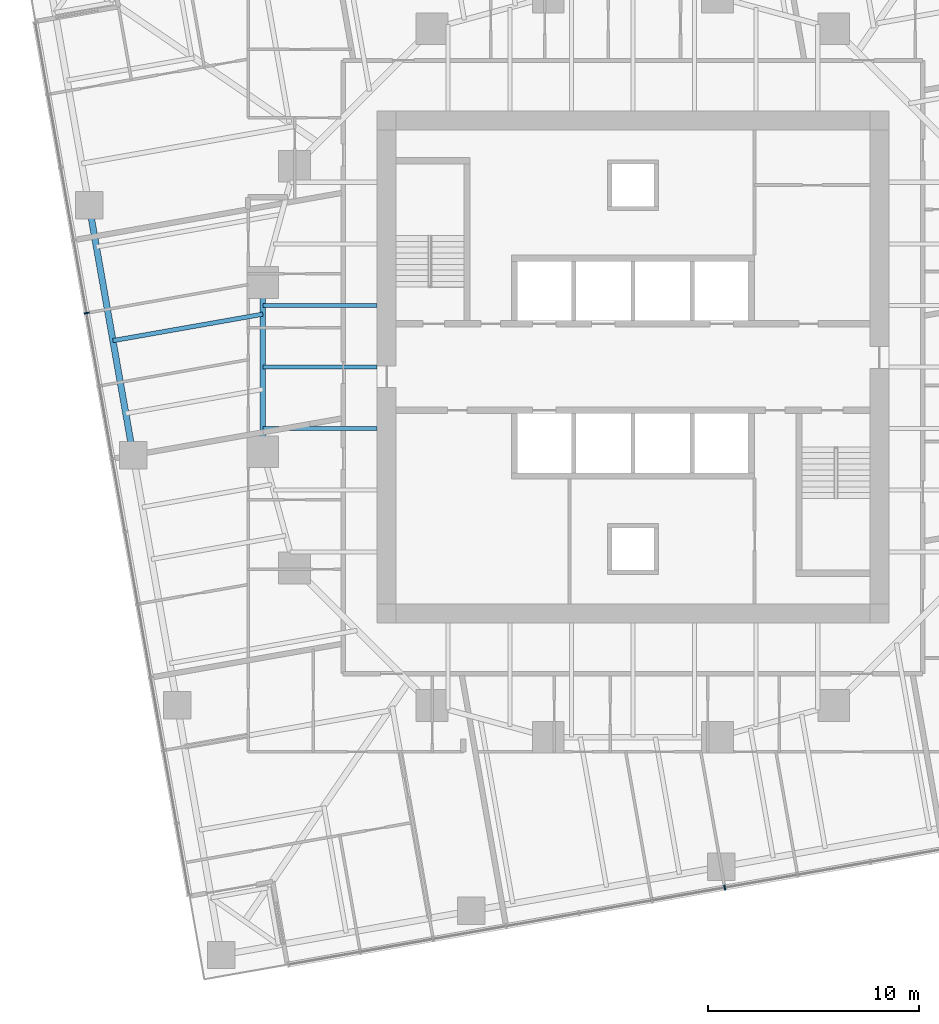
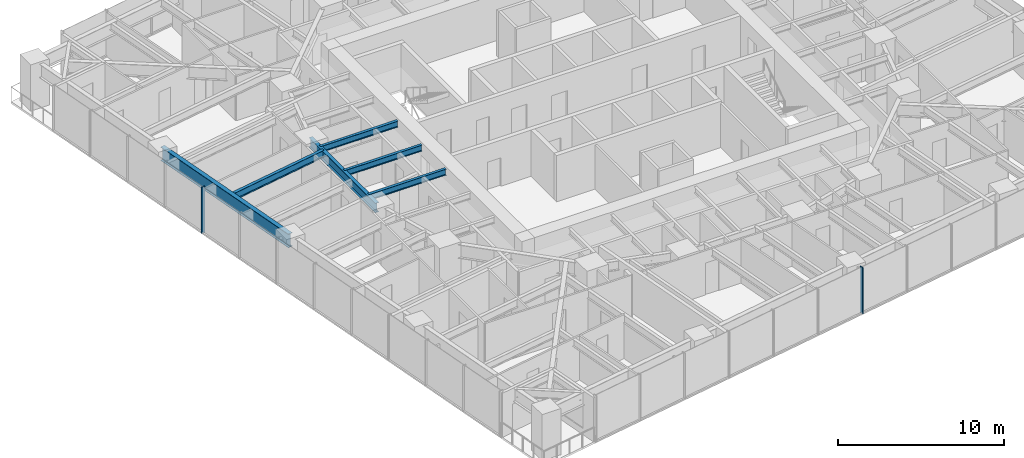
# One storey, part 3 of 14: 6 beams, 2 members, 2 elements without a shape of their own.
"""IFC4 building model written with IfcOpenShell, lengths in metres."""

from ifc_helpers import new_model, si_unit, direction, frame, origin, origin_2d, place, context, subcontext, project, spatial, rectangle, i_section, extrude, material, material_profile, profile_set, type_object, element, aggregate, save


model = new_model("IFC4")

# Units and contexts
model_context = context("Model", 3, precision=1e-05, world=origin(), true_north=direction((0.0, 1.0)))
body_context = subcontext(model_context, "Body", "Model", "MODEL_VIEW")
ifc_project = project(units=[si_unit("LENGTHUNIT", "METRE"), si_unit("AREAUNIT", "SQUARE_METRE"), si_unit("VOLUMEUNIT", "CUBIC_METRE"), si_unit("PLANEANGLEUNIT", "RADIAN"), si_unit("MASSUNIT", "GRAM", prefix="KILO")], contexts=[model_context])

# Site, building, storey
site_placement = place(None, origin())
site = spatial("IfcSite", under=ifc_project, at=site_placement, CompositionType="ELEMENT")
building_placement = place(site_placement, origin())
building = spatial("IfcBuilding", under=site, at=building_placement, Name="Torsade Residences", CompositionType="ELEMENT")
storey_placement = place(building_placement, frame((0.0, 0.0, 99.800048828125)))
storey = spatial("IfcBuildingStorey", under=building, at=storey_placement, Name="L27", CompositionType="ELEMENT", Elevation=99.800048828125)

# Curtain wall, member
ifc_material_1 = material(Name="Aluminium and glass", Category="aluminium")
curtain_wall_type = type_object("IfcCurtainWallType", Name="FRITTED GLASS CURTAIN WALL LOW ZONE", PredefinedType="NOTDEFINED", material=ifc_material_1)
curtain_wall_1_placement = place(storey_placement, origin())
curtain_wall_1 = element("IfcCurtainWall", 1, at=curtain_wall_1_placement, inside=storey, type_object=curtain_wall_type, Name="Curtain wall L27 face 1", PredefinedType="NOTDEFINED")
ifc_material_2 = material(Name="Aluminium mullion", Category="aluminium")
ifc_material_profile_1 = material_profile(ifc_material_2, rectangle(XDim=0.25, YDim=0.06494140625, at=origin_2d()), Name="CURTAIN WALL MULLION 250x65")
ifc_profile_set_1 = profile_set([ifc_material_profile_1], Name="Aluminium mullion")
member_type = type_object("IfcMemberType", Name="CURTAIN WALL MULLION 250x65", PredefinedType="MULLION", material=ifc_profile_set_1)
member_1_placement = place(storey_placement, frame((44.34130859375, 5.3798828125, 0.0), z_axis=(0.0, 0.0, 1.0), x_axis=(-0.173648192638, 0.984807750372, 0.0)))
member_1 = element("IfcMember", 2, at=member_1_placement, type_object=member_type, Name="Mullion 7", PredefinedType="MULLION", context=body_context, shape_type="SweptSolid", body=[
    extrude(rectangle(XDim=0.25, YDim=0.06494140625, at=origin_2d()), origin(), (0.0, 0.0, 1.0), 3.39990234375),
])
aggregate(curtain_wall_1, [member_1])

curtain_wall_2_placement = place(storey_placement, origin())
curtain_wall_2 = element("IfcCurtainWall", 3, at=curtain_wall_2_placement, inside=storey, type_object=curtain_wall_type, Name="Curtain wall L27 face 10", PredefinedType="NOTDEFINED")
member_2_placement = place(storey_placement, frame((14.164306640625, 32.552490234375, 0.0), z_axis=(0.0, 0.0, 1.0), x_axis=(0.984807750372, 0.173648192638, 0.0)))
member_2 = element("IfcMember", 4, at=member_2_placement, type_object=member_type, Name="Mullion 5", PredefinedType="MULLION", context=body_context, shape_type="SweptSolid", body=[
    extrude(rectangle(XDim=0.25, YDim=0.06494140625, at=origin_2d()), origin(), (0.0, 0.0, 1.0), 3.39990234375),
])
aggregate(curtain_wall_2, [member_2])

# Beams
ifc_material_3 = material(Name="Steel grade 300", Category="steel")
ifc_material_profile_2 = material_profile(ifc_material_3, i_section(OverallWidth=0.300048828125, OverallDepth=1.0, WebThickness=0.01611328125, FlangeThickness=0.028076171875, at=origin_2d()), Name="1000WB215")
ifc_profile_set_2 = profile_set([ifc_material_profile_2], Name="Steel grade 300")
beam_type_1 = type_object("IfcBeamType", Name="EDGE BEAM 1000WB215", PredefinedType="SPANDREL", material=ifc_profile_set_2)
beam_1_placement = place(storey_placement, frame((14.28076171875, 37.650146484375, 2.75), z_axis=(0.173646056486, -0.984808127031, 0.0), x_axis=(0.984808127031, 0.173646056486, 0.0)))
element("IfcBeam", 5, at=beam_1_placement, inside=storey, type_object=beam_type_1, Name="Edge beam 14 L28", PredefinedType="SPANDREL", context=body_context, shape_type="SweptSolid", body=[
    extrude(i_section(OverallWidth=0.300048828125, OverallDepth=1.0, WebThickness=0.01611328125, FlangeThickness=0.028076171875, at=origin_2d()), origin(), (0.0, 0.0, 1.0), 12.0),
])
ifc_material_4 = material(Name="Steel grade 300", Category="steel")
ifc_material_profile_3 = material_profile(ifc_material_4, i_section(OverallWidth=0.18994140625, OverallDepth=0.4541015625, WebThickness=0.008544921875, FlangeThickness=0.0126953125, FilletRadius=0.011474609375, at=origin_2d()), Name="460UB67.1")
ifc_profile_set_3 = profile_set([ifc_material_profile_3], Name="Steel grade 300")
beam_type_2 = type_object("IfcBeamType", Name="INNER FLOOR BEAM 460UB67.1", PredefinedType="JOIST", material=ifc_profile_set_3)
for number, where, z_axis, x_axis, name in (
    (6, (27.89990234375, 32.91259765625, 3.02294921875), (-1.0, 0.0, 0.0), (0.0, -1.0, 0.0), "Inner floor beam IW03 L28"),
    (7, (27.89990234375, 30.0, 3.02294921875), (-1.0, 0.0, 0.0), (0.0, -1.0, 0.0), "Inner floor beam IW04 L28"),
    (8, (27.89990234375, 27.08740234375, 3.02294921875), (-1.0, 0.0, 0.0), (0.0, -1.0, 0.0), "Inner floor beam IW05 L28"),
):
    element("IfcBeam", number, at=place(storey_placement, frame(where, z_axis=z_axis, x_axis=x_axis)), inside=storey, type_object=beam_type_2, Name=name, PredefinedType="JOIST", context=body_context, shape_type="SweptSolid", body=[
        extrude(i_section(OverallWidth=0.18994140625, OverallDepth=0.4541015625, WebThickness=0.008544921875, FlangeThickness=0.0126953125, FilletRadius=0.011474609375, at=origin_2d()), origin(), (0.0, 0.0, 1.0), 5.39990234375),
    ])
ifc_material_5 = material(Name="Steel grade 300", Category="steel")
ifc_material_profile_4 = material_profile(ifc_material_5, i_section(OverallWidth=0.25, OverallDepth=0.699951171875, WebThickness=0.010009765625, FlangeThickness=0.02001953125, at=origin_2d()), Name="700WB130")
ifc_profile_set_4 = profile_set([ifc_material_profile_4], Name="Steel grade 300")
beam_type_3 = type_object("IfcBeamType", Name="RING GIRDER 700WB130", PredefinedType="BEAM", material=ifc_profile_set_4)
beam_2_placement = place(storey_placement, frame((22.5, 34.0, 2.89990234375), z_axis=(0.0, -1.0, 0.0), x_axis=(1.0, 0.0, 0.0)))
element("IfcBeam", 9, at=beam_2_placement, inside=storey, type_object=beam_type_3, Name="Ring girder IR09 L28", PredefinedType="BEAM", context=body_context, shape_type="SweptSolid", body=[
    extrude(i_section(OverallWidth=0.25, OverallDepth=0.699951171875, WebThickness=0.010009765625, FlangeThickness=0.02001953125, at=origin_2d()), origin(), (0.0, 0.0, 1.0), 8.0),
])
ifc_material_6 = material(Name="Steel grade 300", Category="steel")
ifc_material_profile_5 = material_profile(ifc_material_6, i_section(OverallWidth=0.208984375, OverallDepth=0.528076171875, WebThickness=0.009521484375, FlangeThickness=0.01318359375, FilletRadius=0.013916015625, at=origin_2d()), Name="530UB82.0")
ifc_profile_set_5 = profile_set([ifc_material_profile_5], Name="Steel grade 300")
beam_type_4 = type_object("IfcBeamType", Name="SECONDARY BEAM 530UB82.0", PredefinedType="JOIST", material=ifc_profile_set_5)
beam_3_placement = place(storey_placement, frame((15.40966796875, 31.248779296875, 2.98583984375), z_axis=(0.984807104535, 0.173651855324, 0.0), x_axis=(-0.173651855324, 0.984807104535, 0.0)))
element("IfcBeam", 10, at=beam_3_placement, inside=storey, type_object=beam_type_4, Name="Floor beam FW05 L28", PredefinedType="JOIST", context=body_context, shape_type="SweptSolid", body=[
    extrude(i_section(OverallWidth=0.208984375, OverallDepth=0.528076171875, WebThickness=0.009521484375, FlangeThickness=0.01318359375, FilletRadius=0.013916015625, at=origin_2d()), origin(), (0.0, 0.0, 1.0), 7.19970703125),
])

save(model, "model.ifc")
